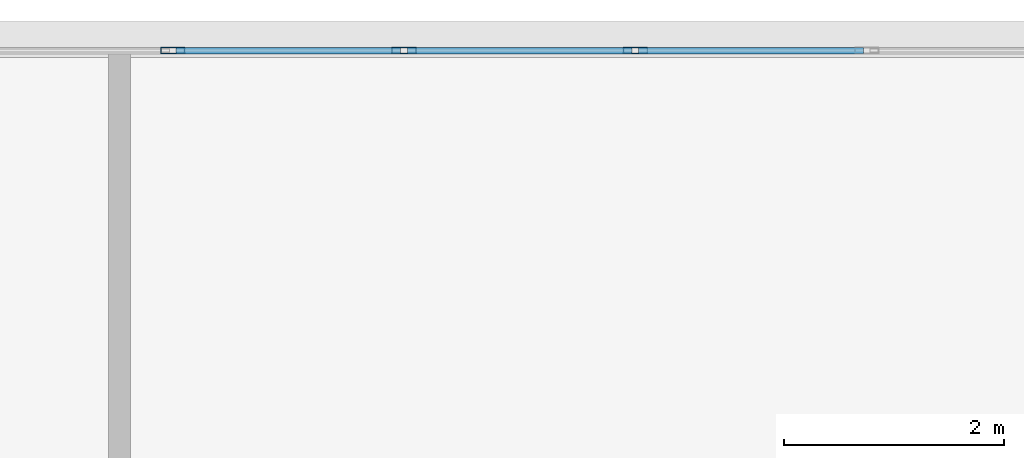
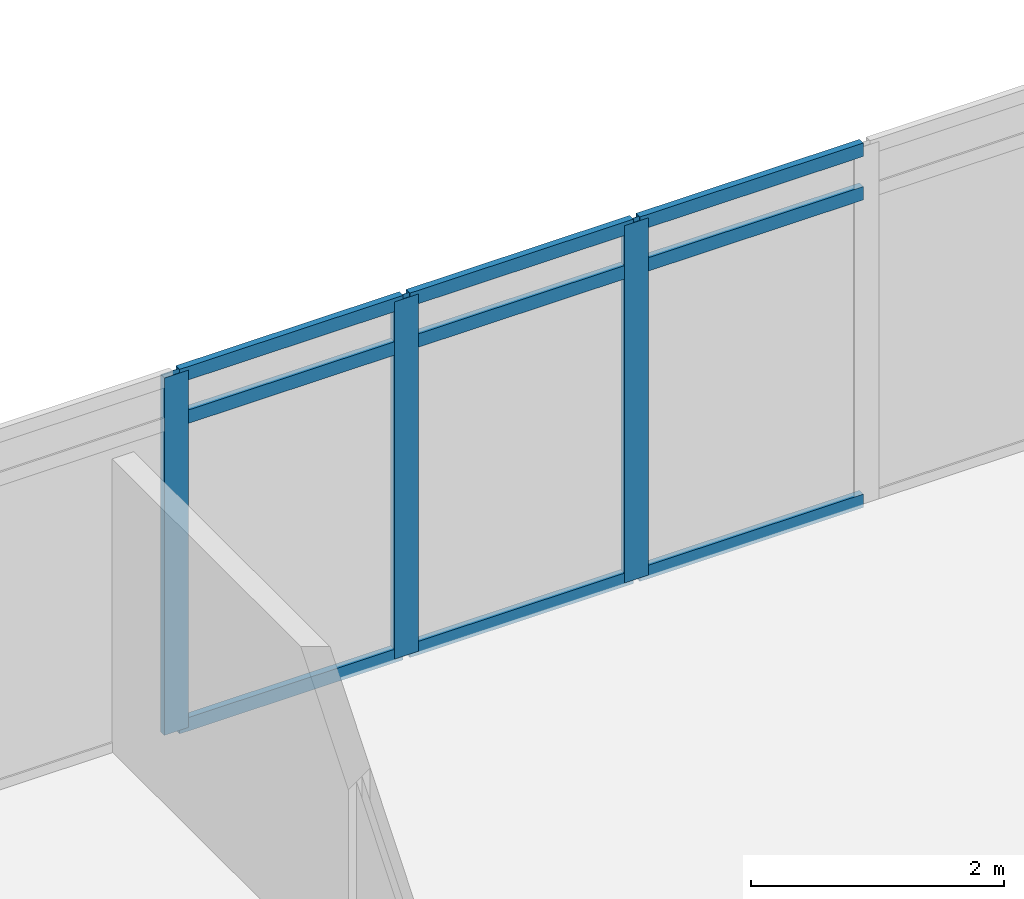
# One storey, part 20 of 38: 12 members, 1 element without a shape of its own.
"""IFC4 building model written with IfcOpenShell, lengths in metres."""

from ifc_helpers import new_model, si_unit, direction, frame, origin, origin_2d, place, context, subcontext, project, spatial, hollow_rectangle, extrude, material, material_profile, profile_set, type_object, element, aggregate, save


model = new_model("IFC4")

# Units and contexts
model_context = context("Model", 3, precision=1e-05, world=origin(), true_north=direction((0.0, 1.0)))
body_context = subcontext(model_context, "Body", "Model", "MODEL_VIEW")
ifc_project = project(units=[si_unit("LENGTHUNIT", "METRE"), si_unit("AREAUNIT", "SQUARE_METRE"), si_unit("VOLUMEUNIT", "CUBIC_METRE"), si_unit("PLANEANGLEUNIT", "RADIAN"), si_unit("MASSUNIT", "GRAM", prefix="KILO")], contexts=[model_context])

# Site, building, storey
site_placement = place(None, origin())
site = spatial("IfcSite", under=ifc_project, at=site_placement, CompositionType="ELEMENT")
building_placement = place(site_placement, origin())
building = spatial("IfcBuilding", under=site, at=building_placement, Name="Ostrander Bayou Hotel Tower", CompositionType="ELEMENT")
storey_placement = place(building_placement, frame((0.0, 0.0, 65.5)))
storey = spatial("IfcBuildingStorey", under=building, at=storey_placement, Name="L16", CompositionType="ELEMENT", Elevation=65.5)

# Curtain wall, members
ifc_material_1 = material(Name="Aluminium and clear glass", Category="aluminium")
curtain_wall_type = type_object("IfcCurtainWallType", Name="CW-BAR glazed wall", PredefinedType="NOTDEFINED", material=ifc_material_1)
curtain_wall_placement = place(storey_placement, origin())
curtain_wall = element("IfcCurtainWall", 1, at=curtain_wall_placement, inside=storey, type_object=curtain_wall_type, Name="CW-BAR L16:SB1N:T", PredefinedType="NOTDEFINED")
ifc_material_2 = material(Name="Aluminium", Category="aluminium")
ifc_material_profile_1 = material_profile(ifc_material_2, hollow_rectangle(XDim=0.06005859375, YDim=0.219970703125, WallThickness=0.00390625, at=origin_2d()))
ifc_profile_set_1 = profile_set([ifc_material_profile_1], Name="Aluminium")
member_type_1 = type_object("IfcMemberType", Name="CW-BR mullion 60 x 220 mm", PredefinedType="MULLION", material=ifc_profile_set_1)
member_1_placement = place(storey_placement, frame((-6.30517578125, 30.88623046875, 0.0), z_axis=(0.0, 0.0, 1.0), x_axis=(0.0, 1.0, 0.0)))
member_1 = element("IfcMember", 2, at=member_1_placement, type_object=member_type_1, Name="CW-BAR mullion 5", PredefinedType="MULLION", context=body_context, shape_type="SweptSolid", body=[
    extrude(hollow_rectangle(XDim=0.06005859375, YDim=0.219970703125, WallThickness=0.00390625, at=origin_2d()), origin(), (0.0, 0.0, 1.0), 3.449951171875),
])
member_2_placement = place(storey_placement, frame((-4.203369140625, 30.88623046875, 0.0), z_axis=(0.0, 0.0, 1.0), x_axis=(0.0, 1.0, 0.0)))
member_2 = element("IfcMember", 3, at=member_2_placement, type_object=member_type_1, Name="CW-BAR mullion 6", PredefinedType="MULLION", context=body_context, shape_type="SweptSolid", body=[
    extrude(hollow_rectangle(XDim=0.06005859375, YDim=0.219970703125, WallThickness=0.00390625, at=origin_2d()), origin(), (0.0, 0.0, 1.0), 3.449951171875),
])
member_3_placement = place(storey_placement, frame((-2.101806640625, 30.88623046875, 0.0), z_axis=(0.0, 0.0, 1.0), x_axis=(0.0, 1.0, 0.0)))
member_3 = element("IfcMember", 4, at=member_3_placement, type_object=member_type_1, Name="CW-BAR mullion 7", PredefinedType="MULLION", context=body_context, shape_type="SweptSolid", body=[
    extrude(hollow_rectangle(XDim=0.06005859375, YDim=0.219970703125, WallThickness=0.00390625, at=origin_2d()), origin(), (0.0, 0.0, 1.0), 3.449951171875),
])
ifc_material_3 = material(Name="Aluminium", Category="aluminium")
ifc_material_profile_2 = material_profile(ifc_material_3, hollow_rectangle(XDim=0.06005859375, YDim=0.1298828125, WallThickness=0.00390625, at=origin_2d()))
ifc_profile_set_2 = profile_set([ifc_material_profile_2], Name="Aluminium")
member_type_2 = type_object("IfcMemberType", Name="CW-BR transom 60 x 130 mm", PredefinedType="USERDEFINED", material=ifc_profile_set_2)
member_4_placement = place(storey_placement, frame((-6.275146484375, 30.88623046875, 0.030029296875), z_axis=(1.0, 0.0, 0.0), x_axis=(0.0, 1.0, 0.0)))
member_4 = element("IfcMember", 5, at=member_4_placement, type_object=member_type_2, Name="CW-BAR transom 5.1", ObjectType="TRANSOM", PredefinedType="USERDEFINED", context=body_context, shape_type="SweptSolid", body=[
    extrude(hollow_rectangle(XDim=0.06005859375, YDim=0.1298828125, WallThickness=0.00390625, at=origin_2d()), origin(), (0.0, 0.0, 1.0), 2.041748046875),
])
member_5_placement = place(storey_placement, frame((-6.275146484375, 30.88623046875, 3.0), z_axis=(1.0, 0.0, 0.0), x_axis=(0.0, 1.0, 0.0)))
member_5 = element("IfcMember", 6, at=member_5_placement, type_object=member_type_2, Name="CW-BAR transom 5.2", ObjectType="TRANSOM", PredefinedType="USERDEFINED", context=body_context, shape_type="SweptSolid", body=[
    extrude(hollow_rectangle(XDim=0.06005859375, YDim=0.1298828125, WallThickness=0.00390625, at=origin_2d()), origin(), (0.0, 0.0, 1.0), 2.041748046875),
])
member_6_placement = place(storey_placement, frame((-6.275146484375, 30.88623046875, 3.419921875), z_axis=(1.0, 0.0, 0.0), x_axis=(0.0, 1.0, 0.0)))
member_6 = element("IfcMember", 7, at=member_6_placement, type_object=member_type_2, Name="CW-BAR transom 5.3", ObjectType="TRANSOM", PredefinedType="USERDEFINED", context=body_context, shape_type="SweptSolid", body=[
    extrude(hollow_rectangle(XDim=0.06005859375, YDim=0.1298828125, WallThickness=0.00390625, at=origin_2d()), origin(), (0.0, 0.0, 1.0), 2.041748046875),
])
member_7_placement = place(storey_placement, frame((-4.173583984375, 30.88623046875, 0.030029296875), z_axis=(1.0, 0.0, 0.0), x_axis=(0.0, 1.0, 0.0)))
member_7 = element("IfcMember", 8, at=member_7_placement, type_object=member_type_2, Name="CW-BAR transom 6.1", ObjectType="TRANSOM", PredefinedType="USERDEFINED", context=body_context, shape_type="SweptSolid", body=[
    extrude(hollow_rectangle(XDim=0.06005859375, YDim=0.1298828125, WallThickness=0.00390625, at=origin_2d()), origin(), (0.0, 0.0, 1.0), 2.041748046875),
])
member_8_placement = place(storey_placement, frame((-4.173583984375, 30.88623046875, 3.0), z_axis=(1.0, 0.0, 0.0), x_axis=(0.0, 1.0, 0.0)))
member_8 = element("IfcMember", 9, at=member_8_placement, type_object=member_type_2, Name="CW-BAR transom 6.2", ObjectType="TRANSOM", PredefinedType="USERDEFINED", context=body_context, shape_type="SweptSolid", body=[
    extrude(hollow_rectangle(XDim=0.06005859375, YDim=0.1298828125, WallThickness=0.00390625, at=origin_2d()), origin(), (0.0, 0.0, 1.0), 2.041748046875),
])
member_9_placement = place(storey_placement, frame((-4.173583984375, 30.88623046875, 3.419921875), z_axis=(1.0, 0.0, 0.0), x_axis=(0.0, 1.0, 0.0)))
member_9 = element("IfcMember", 10, at=member_9_placement, type_object=member_type_2, Name="CW-BAR transom 6.3", ObjectType="TRANSOM", PredefinedType="USERDEFINED", context=body_context, shape_type="SweptSolid", body=[
    extrude(hollow_rectangle(XDim=0.06005859375, YDim=0.1298828125, WallThickness=0.00390625, at=origin_2d()), origin(), (0.0, 0.0, 1.0), 2.041748046875),
])
member_10_placement = place(storey_placement, frame((-2.07177734375, 30.88623046875, 0.030029296875), z_axis=(1.0, 0.0, 0.0), x_axis=(0.0, 1.0, 0.0)))
member_10 = element("IfcMember", 11, at=member_10_placement, type_object=member_type_2, Name="CW-BAR transom 7.1", ObjectType="TRANSOM", PredefinedType="USERDEFINED", context=body_context, shape_type="SweptSolid", body=[
    extrude(hollow_rectangle(XDim=0.06005859375, YDim=0.1298828125, WallThickness=0.00390625, at=origin_2d()), origin(), (0.0, 0.0, 1.0), 2.041748046875),
])
member_11_placement = place(storey_placement, frame((-2.07177734375, 30.88623046875, 3.0), z_axis=(1.0, 0.0, 0.0), x_axis=(0.0, 1.0, 0.0)))
member_11 = element("IfcMember", 12, at=member_11_placement, type_object=member_type_2, Name="CW-BAR transom 7.2", ObjectType="TRANSOM", PredefinedType="USERDEFINED", context=body_context, shape_type="SweptSolid", body=[
    extrude(hollow_rectangle(XDim=0.06005859375, YDim=0.1298828125, WallThickness=0.00390625, at=origin_2d()), origin(), (0.0, 0.0, 1.0), 2.041748046875),
])
member_12_placement = place(storey_placement, frame((-2.07177734375, 30.88623046875, 3.419921875), z_axis=(1.0, 0.0, 0.0), x_axis=(0.0, 1.0, 0.0)))
member_12 = element("IfcMember", 13, at=member_12_placement, type_object=member_type_2, Name="CW-BAR transom 7.3", ObjectType="TRANSOM", PredefinedType="USERDEFINED", context=body_context, shape_type="SweptSolid", body=[
    extrude(hollow_rectangle(XDim=0.06005859375, YDim=0.1298828125, WallThickness=0.00390625, at=origin_2d()), origin(), (0.0, 0.0, 1.0), 2.041748046875),
])
aggregate(curtain_wall, [member_1, member_2, member_3, member_4, member_5, member_6, member_7, member_8, member_9, member_10, member_11, member_12])

save(model, "model.ifc")
